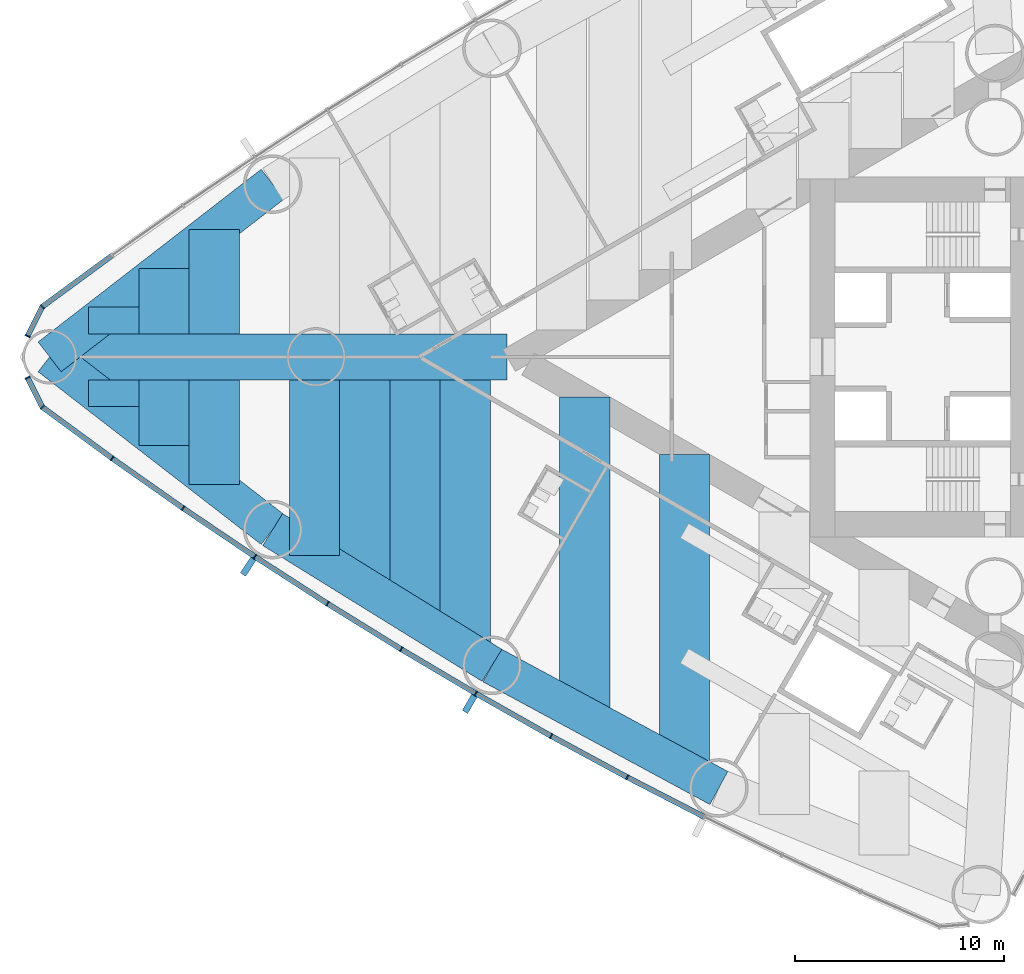
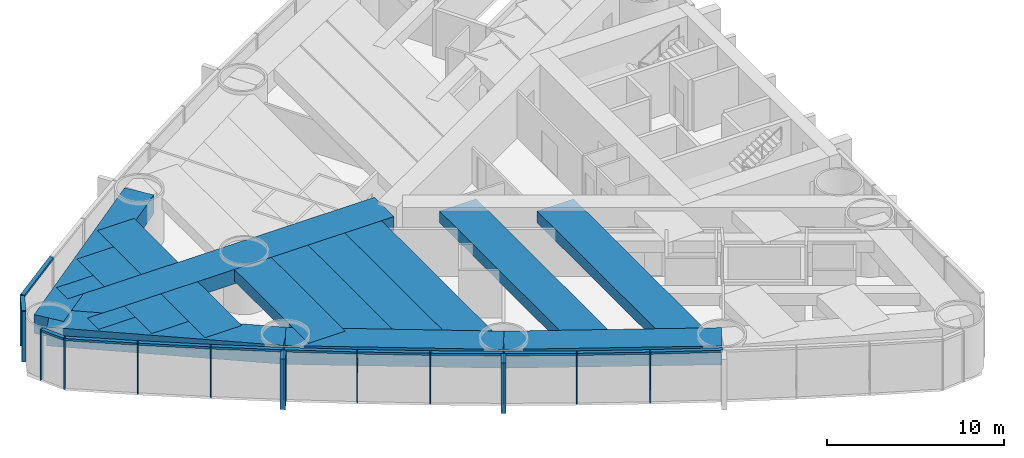
# One storey, part 2 of 19: 26 members, 17 beams, 2 elements without a shape of their own.
"""IFC4 building model written with IfcOpenShell, lengths in metres."""

from ifc_helpers import new_model, si_unit, direction, frame, origin, origin_2d, place, context, subcontext, project, spatial, rectangle, extrude, material, material_profile, profile_set, type_object, element, aggregate, save


model = new_model("IFC4")

# Units and contexts
model_context = context("Model", 3, precision=1e-05, world=origin(), true_north=direction((0.0, 1.0)))
body_context = subcontext(model_context, "Body", "Model", "MODEL_VIEW")
ifc_project = project(units=[si_unit("LENGTHUNIT", "METRE"), si_unit("AREAUNIT", "SQUARE_METRE"), si_unit("VOLUMEUNIT", "CUBIC_METRE"), si_unit("PLANEANGLEUNIT", "RADIAN"), si_unit("MASSUNIT", "GRAM", prefix="KILO")], contexts=[model_context])

# Site, building, storey
site_placement = place(None, origin())
site = spatial("IfcSite", under=ifc_project, at=site_placement, CompositionType="ELEMENT")
building_placement = place(site_placement, origin())
building = spatial("IfcBuilding", under=site, at=building_placement, Name="Lancet Gate Hotel", CompositionType="ELEMENT")
storey_placement = place(building_placement, frame((0.0, 0.0, 32.0)))
storey = spatial("IfcBuildingStorey", under=building, at=storey_placement, Name="L07", CompositionType="ELEMENT", Elevation=32.0)

# Curtain wall, members
ifc_material_1 = material(Name="Aluminium curtain wall", Category="aluminium")
curtain_wall_type = type_object("IfcCurtainWallType", Name="Tower unitised curtain wall", PredefinedType="USERDEFINED", material=ifc_material_1)
curtain_wall_1_placement = place(storey_placement, origin())
curtain_wall_1 = element("IfcCurtainWall", 1, at=curtain_wall_1_placement, inside=storey, type_object=curtain_wall_type, Name="T1 L07 curtain wall 2", ObjectType="UNITISED CURTAIN WALL", PredefinedType="USERDEFINED")
ifc_material_2 = material(Name="Aluminium mullion", Category="aluminium")
ifc_material_profile_1 = material_profile(ifc_material_2, rectangle(XDim=0.06494140625, YDim=0.25, at=origin_2d()), Name="MULLION 65x250")
ifc_profile_set_1 = profile_set([ifc_material_profile_1], Name="Aluminium mullion")
member_type_1 = type_object("IfcMemberType", Name="Aluminium mullion 65x250", PredefinedType="MULLION", material=ifc_profile_set_1)
member_1_placement = place(storey_placement, frame((-74.5830078125, 2.401611328125, 0.0), z_axis=(0.0, 0.0, 1.0), x_axis=(-0.723695580132, -0.690119342793, 0.0)))
member_1 = element("IfcMember", 2, at=member_1_placement, type_object=member_type_1, Name="T1 L07 curtain wall 2 mullion 14", PredefinedType="MULLION", context=body_context, shape_type="SweptSolid", body=[
    extrude(rectangle(XDim=0.06494140625, YDim=0.25, at=origin_2d()), origin(), (0.0, 0.0, 1.0), 3.5),
])
member_2_placement = place(storey_placement, frame((-75.287109375, 0.994873046875, 0.0), z_axis=(0.0, 0.0, 1.0), x_axis=(-0.447628324726, -0.89421970617, 0.0)))
member_2 = element("IfcMember", 3, at=member_2_placement, type_object=member_type_1, Name="T1 L07 curtain wall 2 mullion 15", PredefinedType="MULLION", context=body_context, shape_type="SweptSolid", body=[
    extrude(rectangle(XDim=0.06494140625, YDim=0.25, at=origin_2d()), origin(), (0.0, 0.0, 1.0), 3.5),
])

curtain_wall_2_placement = place(storey_placement, origin())
curtain_wall_2 = element("IfcCurtainWall", 4, at=curtain_wall_2_placement, inside=storey, type_object=curtain_wall_type, Name="T1 L07 curtain wall 3", ObjectType="UNITISED CURTAIN WALL", PredefinedType="USERDEFINED")
member_3_placement = place(storey_placement, frame((-75.287109375, -0.994873046875, 0.0), z_axis=(0.0, 0.0, 1.0), x_axis=(0.447628324726, -0.89421970617, 0.0)))
member_3 = element("IfcMember", 5, at=member_3_placement, type_object=member_type_1, Name="T1 L07 curtain wall 3 mullion 1", PredefinedType="MULLION", context=body_context, shape_type="SweptSolid", body=[
    extrude(rectangle(XDim=0.06494140625, YDim=0.25, at=origin_2d()), origin(), (0.0, 0.0, 1.0), 3.5),
])
member_4_placement = place(storey_placement, frame((-74.5830078125, -2.401611328125, 0.0), z_axis=(0.0, 0.0, 1.0), x_axis=(0.723695580132, -0.690119342793, 0.0)))
member_4 = element("IfcMember", 6, at=member_4_placement, type_object=member_type_1, Name="T1 L07 curtain wall 3 mullion 2", PredefinedType="MULLION", context=body_context, shape_type="SweptSolid", body=[
    extrude(rectangle(XDim=0.06494140625, YDim=0.25, at=origin_2d()), origin(), (0.0, 0.0, 1.0), 3.5),
])
member_5_placement = place(storey_placement, frame((-71.244384765625, -4.85009765625, 0.0), z_axis=(0.0, 0.0, 1.0), x_axis=(0.812146623168, -0.583453393578, 0.0)))
member_5 = element("IfcMember", 7, at=member_5_placement, type_object=member_type_1, Name="T1 L07 curtain wall 3 mullion 3", PredefinedType="MULLION", context=body_context, shape_type="SweptSolid", body=[
    extrude(rectangle(XDim=0.06494140625, YDim=0.25, at=origin_2d()), origin(), (0.0, 0.0, 1.0), 3.5),
])
member_6_placement = place(storey_placement, frame((-67.858154296875, -7.232666015625, 0.0), z_axis=(0.0, 0.0, 1.0), x_axis=(0.823425148573, -0.56742490666, 0.0)))
member_6 = element("IfcMember", 8, at=member_6_placement, type_object=member_type_1, Name="T1 L07 curtain wall 3 mullion 4", PredefinedType="MULLION", context=body_context, shape_type="SweptSolid", body=[
    extrude(rectangle(XDim=0.06494140625, YDim=0.25, at=origin_2d()), origin(), (0.0, 0.0, 1.0), 3.5),
])
member_7_placement = place(storey_placement, frame((-64.42626953125, -9.548583984375, 0.0), z_axis=(0.0, 0.0, 1.0), x_axis=(0.834387381945, -0.55117846189, 0.0)))
member_7 = element("IfcMember", 9, at=member_7_placement, type_object=member_type_1, Name="T1 L07 curtain wall 3 mullion 5", PredefinedType="MULLION", context=body_context, shape_type="SweptSolid", body=[
    extrude(rectangle(XDim=0.06494140625, YDim=0.25, at=origin_2d()), origin(), (0.0, 0.0, 1.0), 3.5),
])
member_8_placement = place(storey_placement, frame((-60.949462890625, -11.796630859375, 0.0), z_axis=(0.0, 0.0, 1.0), x_axis=(0.845029112489, -0.534720299827, 0.0)))
member_8 = element("IfcMember", 10, at=member_8_placement, type_object=member_type_1, Name="T1 L07 curtain wall 3 mullion 6", PredefinedType="MULLION", context=body_context, shape_type="SweptSolid", body=[
    extrude(rectangle(XDim=0.06494140625, YDim=0.25, at=origin_2d()), origin(), (0.0, 0.0, 1.0), 3.5),
])
member_9_placement = place(storey_placement, frame((-57.42919921875, -13.97607421875, 0.0), z_axis=(0.0, 0.0, 1.0), x_axis=(0.855346252548, -0.518056742309, 0.0)))
member_9 = element("IfcMember", 11, at=member_9_placement, type_object=member_type_1, Name="T1 L07 curtain wall 3 mullion 7", PredefinedType="MULLION", context=body_context, shape_type="SweptSolid", body=[
    extrude(rectangle(XDim=0.06494140625, YDim=0.25, at=origin_2d()), origin(), (0.0, 0.0, 1.0), 3.5),
])
member_10_placement = place(storey_placement, frame((-53.866943359375, -16.086181640625, 0.0), z_axis=(0.0, 0.0, 1.0), x_axis=(0.86533483912, -0.501194190115, 0.0)))
member_10 = element("IfcMember", 12, at=member_10_placement, type_object=member_type_1, Name="T1 L07 curtain wall 3 mullion 8", PredefinedType="MULLION", context=body_context, shape_type="SweptSolid", body=[
    extrude(rectangle(XDim=0.06494140625, YDim=0.25, at=origin_2d()), origin(), (0.0, 0.0, 1.0), 3.5),
])
member_11_placement = place(storey_placement, frame((-50.26416015625, -18.1259765625, 0.0), z_axis=(0.0, 0.0, 1.0), x_axis=(0.874991035403, -0.484139120464, 0.0)))
member_11 = element("IfcMember", 13, at=member_11_placement, type_object=member_type_1, Name="T1 L07 curtain wall 3 mullion 9", PredefinedType="MULLION", context=body_context, shape_type="SweptSolid", body=[
    extrude(rectangle(XDim=0.06494140625, YDim=0.25, at=origin_2d()), origin(), (0.0, 0.0, 1.0), 3.5),
])
member_12_placement = place(storey_placement, frame((-46.6220703125, -20.094970703125, 0.0), z_axis=(0.0, 0.0, 1.0), x_axis=(0.884311132302, -0.466898084475, 0.0)))
member_12 = element("IfcMember", 14, at=member_12_placement, type_object=member_type_1, Name="T1 L07 curtain wall 3 mullion 10", PredefinedType="MULLION", context=body_context, shape_type="SweptSolid", body=[
    extrude(rectangle(XDim=0.06494140625, YDim=0.25, at=origin_2d()), origin(), (0.0, 0.0, 1.0), 3.5),
])

# Member
ifc_material_3 = material(Name="Aluminium transom", Category="aluminium")
ifc_material_profile_2 = material_profile(ifc_material_3, rectangle(XDim=0.25, YDim=0.14990234375, at=origin_2d()), Name="TRANSOM 250x150")
ifc_profile_set_2 = profile_set([ifc_material_profile_2], Name="Aluminium transom")
member_type_2 = type_object("IfcMemberType", Name="Aluminium transom 250x150", PredefinedType="USERDEFINED", material=ifc_profile_set_2)
member_13_placement = place(storey_placement, frame((-71.2705078125, 4.8310546875, 3.425048828125), z_axis=(-0.806366902144, -0.59141560609, 0.0), x_axis=(0.59141560609, -0.806366902144, 0.0)))
member_13 = element("IfcMember", 15, at=member_13_placement, type_object=member_type_2, Name="T1 L07 curtain wall 2 transom 13", ObjectType="TRANSOM", PredefinedType="USERDEFINED", context=body_context, shape_type="SweptSolid", body=[
    extrude(rectangle(XDim=0.25, YDim=0.14990234375, at=origin_2d()), origin(), (0.0, 0.0, 1.0), 4.0751953125),
])

member_14_placement = place(storey_placement, frame((-74.597412109375, 2.37255859375, 3.425048828125), z_axis=(-0.447731503446, -0.894168049542, 0.0), x_axis=(0.894168049542, -0.447731503446, 0.0)))
member_14 = element("IfcMember", 16, at=member_14_placement, type_object=member_type_2, Name="T1 L07 curtain wall 2 transom 14", ObjectType="TRANSOM", PredefinedType="USERDEFINED", context=body_context, shape_type="SweptSolid", body=[
    extrude(rectangle(XDim=0.25, YDim=0.14990234375, at=origin_2d()), origin(), (0.0, 0.0, 1.0), 1.50830078125),
])

aggregate(curtain_wall_1, [member_1, member_2, member_13, member_14])

member_15_placement = place(storey_placement, frame((-75.272705078125, -1.02392578125, 3.425048828125), z_axis=(0.447731503446, -0.894168049542, 0.0), x_axis=(0.894168049542, 0.447731503446, 0.0)))
member_15 = element("IfcMember", 17, at=member_15_placement, type_object=member_type_2, Name="T1 L07 curtain wall 3 transom 1", ObjectType="TRANSOM", PredefinedType="USERDEFINED", context=body_context, shape_type="SweptSolid", body=[
    extrude(rectangle(XDim=0.25, YDim=0.14990234375, at=origin_2d()), origin(), (0.0, 0.0, 1.0), 1.50830078125),
])

member_16_placement = place(storey_placement, frame((-74.556640625, -2.4208984375, 3.425048828125), z_axis=(0.806366902144, -0.59141560609, 0.0), x_axis=(0.59141560609, 0.806366902144, 0.0)))
member_16 = element("IfcMember", 18, at=member_16_placement, type_object=member_type_2, Name="T1 L07 curtain wall 3 transom 2", ObjectType="TRANSOM", PredefinedType="USERDEFINED", context=body_context, shape_type="SweptSolid", body=[
    extrude(rectangle(XDim=0.25, YDim=0.14990234375, at=origin_2d()), origin(), (0.0, 0.0, 1.0), 4.0751953125),
])

member_17_placement = place(storey_placement, frame((-71.2177734375, -4.868896484375, 3.425048828125), z_axis=(0.817833568345, -0.57545482402, 0.0), x_axis=(0.57545482402, 0.817833568345, 0.0)))
member_17 = element("IfcMember", 19, at=member_17_placement, type_object=member_type_2, Name="T1 L07 curtain wall 3 transom 3", ObjectType="TRANSOM", PredefinedType="USERDEFINED", context=body_context, shape_type="SweptSolid", body=[
    extrude(rectangle(XDim=0.25, YDim=0.14990234375, at=origin_2d()), origin(), (0.0, 0.0, 1.0), 4.075439453125),
])

member_18_placement = place(storey_placement, frame((-67.831298828125, -7.2509765625, 3.425048828125), z_axis=(0.828959086782, -0.559309245804, 0.0), x_axis=(0.559309245804, 0.828959086782, 0.0)))
member_18 = element("IfcMember", 20, at=member_18_placement, type_object=member_type_2, Name="T1 L07 curtain wall 3 transom 4", ObjectType="TRANSOM", PredefinedType="USERDEFINED", context=body_context, shape_type="SweptSolid", body=[
    extrude(rectangle(XDim=0.25, YDim=0.14990234375, at=origin_2d()), origin(), (0.0, 0.0, 1.0), 4.0751953125),
])

member_19_placement = place(storey_placement, frame((-64.39892578125, -9.566162109375, 3.425048828125), z_axis=(0.839729242404, -0.543005340169, 0.0), x_axis=(0.543005340169, 0.839729242404, 0.0)))
member_19 = element("IfcMember", 21, at=member_19_placement, type_object=member_type_2, Name="T1 L07 curtain wall 3 transom 5", ObjectType="TRANSOM", PredefinedType="USERDEFINED", context=body_context, shape_type="SweptSolid", body=[
    extrude(rectangle(XDim=0.25, YDim=0.14990234375, at=origin_2d()), origin(), (0.0, 0.0, 1.0), 4.0751953125),
])

member_20_placement = place(storey_placement, frame((-60.921875, -11.813720703125, 3.425048828125), z_axis=(0.850242165643, -0.526391736032, 0.0), x_axis=(0.526391736032, 0.850242165643, 0.0)))
member_20 = element("IfcMember", 22, at=member_20_placement, type_object=member_type_2, Name="T1 L07 curtain wall 3 transom 6", ObjectType="TRANSOM", PredefinedType="USERDEFINED", context=body_context, shape_type="SweptSolid", body=[
    extrude(rectangle(XDim=0.25, YDim=0.14990234375, at=origin_2d()), origin(), (0.0, 0.0, 1.0), 4.075439453125),
])

member_21_placement = place(storey_placement, frame((-57.4013671875, -13.99267578125, 3.425048828125), z_axis=(0.86039174806, -0.509633240547, 0.0), x_axis=(0.509633240547, 0.86039174806, 0.0)))
member_21 = element("IfcMember", 23, at=member_21_placement, type_object=member_type_2, Name="T1 L07 curtain wall 3 transom 7", ObjectType="TRANSOM", PredefinedType="USERDEFINED", context=body_context, shape_type="SweptSolid", body=[
    extrude(rectangle(XDim=0.25, YDim=0.14990234375, at=origin_2d()), origin(), (0.0, 0.0, 1.0), 4.0751953125),
])

member_22_placement = place(storey_placement, frame((-53.838623046875, -16.102294921875, 3.425048828125), z_axis=(0.870197729943, -0.492702659625, 0.0), x_axis=(0.492702659625, 0.870197729943, 0.0)))
member_22 = element("IfcMember", 24, at=member_22_placement, type_object=member_type_2, Name="T1 L07 curtain wall 3 transom 8", ObjectType="TRANSOM", PredefinedType="USERDEFINED", context=body_context, shape_type="SweptSolid", body=[
    extrude(rectangle(XDim=0.25, YDim=0.14990234375, at=origin_2d()), origin(), (0.0, 0.0, 1.0), 4.0751953125),
])

member_23_placement = place(storey_placement, frame((-50.235595703125, -18.1416015625, 3.425048828125), z_axis=(0.87971396408, -0.475503250675, 0.0), x_axis=(0.475503250675, 0.87971396408, 0.0)))
member_23 = element("IfcMember", 25, at=member_23_placement, type_object=member_type_2, Name="T1 L07 curtain wall 3 transom 9", ObjectType="TRANSOM", PredefinedType="USERDEFINED", context=body_context, shape_type="SweptSolid", body=[
    extrude(rectangle(XDim=0.25, YDim=0.14990234375, at=origin_2d()), origin(), (0.0, 0.0, 1.0), 4.0751953125),
])

member_24_placement = place(storey_placement, frame((-46.593017578125, -20.10986328125, 3.425048828125), z_axis=(0.888859972399, -0.458178949175, 0.0), x_axis=(0.458178949175, 0.888859972399, 0.0)))
member_24 = element("IfcMember", 26, at=member_24_placement, type_object=member_type_2, Name="T1 L07 curtain wall 3 transom 10", ObjectType="TRANSOM", PredefinedType="USERDEFINED", context=body_context, shape_type="SweptSolid", body=[
    extrude(rectangle(XDim=0.25, YDim=0.14990234375, at=origin_2d()), origin(), (0.0, 0.0, 1.0), 4.0751953125),
])

# Beams
ifc_material_4 = material(Name="Concrete C50/60", Category="concrete")
ifc_material_profile_3 = material_profile(ifc_material_4, rectangle(XDim=1.800048828125, YDim=1.300048828125, at=origin_2d()), Name="RC 1800x1300")
ifc_profile_set_3 = profile_set([ifc_material_profile_3], Name="Concrete C50/60")
beam_type_1 = type_object("IfcBeamType", Name="Edge beam RC 1800x1300", PredefinedType="SPANDREL", material=ifc_profile_set_3)
for number, where, z_axis, x_axis, name in (
    (27, (-63.57177734375, 8.255126953125, 2.60009765625), (-0.790736428665, -0.612156761281, 0.0), (0.612156761281, -0.790736428665, 0.0), "T1 edge beam EB1 L07"),
    (28, (-74.235107421875, 0.0, 2.60009765625), (0.790736428665, -0.612156761281, 0.0), (0.612156761281, 0.790736428665, 0.0), "T1 edge beam EB1 L07"),
):
    element("IfcBeam", number, at=place(storey_placement, frame(where, z_axis=z_axis, x_axis=x_axis)), inside=storey, type_object=beam_type_1, Name=name, PredefinedType="SPANDREL", context=body_context, shape_type="SweptSolid", body=[
        extrude(rectangle(XDim=1.800048828125, YDim=1.300048828125, at=origin_2d()), origin(), (0.0, 0.0, 1.0), 13.4853515625),
    ])
for number, where, z_axis, x_axis, name in (
    (29, (-63.57177734375, -8.255126953125, 2.60009765625), (0.850225894333, -0.526418016984, 0.0), (0.526418016984, 0.850225894333, 0.0), "T1 edge beam EB1 L07"),
    (30, (-53.090087890625, -14.744873046875, 2.60009765625), (0.879692855603, -0.475542300749, 0.0), (0.475542300749, 0.879692855603, 0.0), "T1 edge beam EB1 L07"),
):
    element("IfcBeam", number, at=place(storey_placement, frame(where, z_axis=z_axis, x_axis=x_axis)), inside=storey, type_object=beam_type_1, Name=name, PredefinedType="SPANDREL", context=body_context, shape_type="SweptSolid", body=[
        extrude(rectangle(XDim=1.800048828125, YDim=1.300048828125, at=origin_2d()), origin(), (0.0, 0.0, 1.0), 12.328125),
    ])

# Member
ifc_material_5 = material(Name="Precast concrete C50/60", Category="concrete")
ifc_material_profile_4 = material_profile(ifc_material_5, rectangle(XDim=0.300048828125, YDim=0.89990234375, at=origin_2d()), Name="FIN 300x900")
ifc_profile_set_4 = profile_set([ifc_material_profile_4], Name="Precast concrete C50/60")
member_type_3 = type_object("IfcMemberType", Name="Exposed concrete fin 300x900", PredefinedType="USERDEFINED", material=ifc_profile_set_4)
member_25_placement = place(storey_placement, frame((-64.7431640625, -10.0283203125, 0.0), z_axis=(0.0, 0.0, 1.0), x_axis=(0.834387381945, -0.55117846189, 0.0)))
member_25 = element("IfcMember", 31, at=member_25_placement, type_object=member_type_3, Name="T1 L07 curtain wall 3 fin 5", ObjectType="FIN", PredefinedType="USERDEFINED", context=body_context, shape_type="SweptSolid", body=[
    extrude(rectangle(XDim=0.300048828125, YDim=0.89990234375, at=origin_2d()), origin(), (0.0, 0.0, 1.0), 3.5),
])

member_26_placement = place(storey_placement, frame((-54.1552734375, -16.583740234375, 0.0), z_axis=(0.0, 0.0, 1.0), x_axis=(0.86533483912, -0.501194190115, 0.0)))
member_26 = element("IfcMember", 32, at=member_26_placement, type_object=member_type_3, Name="T1 L07 curtain wall 3 fin 8", ObjectType="FIN", PredefinedType="USERDEFINED", context=body_context, shape_type="SweptSolid", body=[
    extrude(rectangle(XDim=0.300048828125, YDim=0.89990234375, at=origin_2d()), origin(), (0.0, 0.0, 1.0), 3.5),
])

aggregate(curtain_wall_2, [member_3, member_4, member_5, member_6, member_7, member_25, member_8, member_9, member_10, member_26, member_11, member_12, member_15, member_16, member_17, member_18, member_19, member_20, member_21, member_22, member_23, member_24])

# Beams
ifc_material_6 = material(Name="Concrete C50/60", Category="concrete")
ifc_material_profile_5 = material_profile(ifc_material_6, rectangle(XDim=2.39990234375, YDim=0.800048828125, at=origin_2d()), Name="RC 2400x800")
ifc_profile_set_5 = profile_set([ifc_material_profile_5], Name="Concrete C50/60")
beam_type_2 = type_object("IfcBeamType", Name="Floor beam RC 2400x800", PredefinedType="BEAM", material=ifc_profile_set_5)
beam_1_placement = place(storey_placement, frame((-43.891357421875, -4.663330078125, 2.85009765625), z_axis=(0.0, -1.0, 0.0), x_axis=(1.0, 0.0, 0.0)))
element("IfcBeam", 33, at=beam_1_placement, inside=storey, type_object=beam_type_2, Name="T1 floor beam F08N L07", PredefinedType="BEAM", context=body_context, shape_type="SweptSolid", body=[
    extrude(rectangle(XDim=2.39990234375, YDim=0.800048828125, at=origin_2d()), origin(), (0.0, 0.0, 1.0), 15.05419921875),
])
beam_2_placement = place(storey_placement, frame((-48.66015625, -1.909912109375, 2.85009765625), z_axis=(0.0, -1.0, 0.0), x_axis=(1.0, 0.0, 0.0)))
element("IfcBeam", 34, at=beam_2_placement, inside=storey, type_object=beam_type_2, Name="T1 floor beam F11N L07", PredefinedType="BEAM", context=body_context, shape_type="SweptSolid", body=[
    extrude(rectangle(XDim=2.39990234375, YDim=0.800048828125, at=origin_2d()), origin(), (0.0, 0.0, 1.0), 15.229736328125),
])
beam_3_placement = place(storey_placement, frame((-54.3681640625, -1.10009765625, 2.85009765625), z_axis=(0.0, -1.0, 0.0), x_axis=(1.0, 0.0, 0.0)))
element("IfcBeam", 35, at=beam_3_placement, inside=storey, type_object=beam_type_2, Name="T1 floor beam F14N L07", PredefinedType="BEAM", context=body_context, shape_type="SweptSolid", body=[
    extrude(rectangle(XDim=2.39990234375, YDim=0.800048828125, at=origin_2d()), origin(), (0.0, 0.0, 1.0), 12.853515625),
])
beam_4_placement = place(storey_placement, frame((-56.768310546875, -1.10009765625, 2.85009765625), z_axis=(0.0, -1.0, 0.0), x_axis=(1.0, 0.0, 0.0)))
element("IfcBeam", 36, at=beam_4_placement, inside=storey, type_object=beam_type_2, Name="T1 floor beam F16N L07", PredefinedType="BEAM", context=body_context, shape_type="SweptSolid", body=[
    extrude(rectangle(XDim=2.39990234375, YDim=0.800048828125, at=origin_2d()), origin(), (0.0, 0.0, 1.0), 11.367431640625),
])
beam_5_placement = place(storey_placement, frame((-59.168212890625, -1.10009765625, 2.85009765625), z_axis=(0.0, -1.0, 0.0), x_axis=(1.0, 0.0, 0.0)))
element("IfcBeam", 37, at=beam_5_placement, inside=storey, type_object=beam_type_2, Name="T1 floor beam F18N L07", PredefinedType="BEAM", context=body_context, shape_type="SweptSolid", body=[
    extrude(rectangle(XDim=2.39990234375, YDim=0.800048828125, at=origin_2d()), origin(), (0.0, 0.0, 1.0), 9.881591796875),
])
beam_6_placement = place(storey_placement, frame((-61.568359375, -1.10009765625, 2.85009765625), z_axis=(0.0, -1.0, 0.0), x_axis=(1.0, 0.0, 0.0)))
element("IfcBeam", 38, at=beam_6_placement, inside=storey, type_object=beam_type_2, Name="T1 floor beam F20N L07", PredefinedType="BEAM", context=body_context, shape_type="SweptSolid", body=[
    extrude(rectangle(XDim=2.39990234375, YDim=0.800048828125, at=origin_2d()), origin(), (0.0, 0.0, 1.0), 8.395751953125),
])
for number, where, z_axis, x_axis, name in (
    (39, (-66.3681640625, 6.09033203125, 2.85009765625), (0.0, -1.0, 0.0), (1.0, 0.0, 0.0), "T1 floor beam F21S L07"),
    (40, (-66.3681640625, -1.10009765625, 2.85009765625), (0.0, -1.0, 0.0), (1.0, 0.0, 0.0), "T1 floor beam F22N L07"),
):
    element("IfcBeam", number, at=place(storey_placement, frame(where, z_axis=z_axis, x_axis=x_axis)), inside=storey, type_object=beam_type_2, Name=name, PredefinedType="BEAM", context=body_context, shape_type="SweptSolid", body=[
        extrude(rectangle(XDim=2.39990234375, YDim=0.800048828125, at=origin_2d()), origin(), (0.0, 0.0, 1.0), 4.990234375),
    ])
for number, where, z_axis, x_axis, name in (
    (41, (-68.768310546875, 4.232421875, 2.85009765625), (0.0, -1.0, 0.0), (1.0, 0.0, 0.0), "T1 floor beam F23S L07"),
    (42, (-68.768310546875, -1.10009765625, 2.85009765625), (0.0, -1.0, 0.0), (1.0, 0.0, 0.0), "T1 floor beam F24N L07"),
):
    element("IfcBeam", number, at=place(storey_placement, frame(where, z_axis=z_axis, x_axis=x_axis)), inside=storey, type_object=beam_type_2, Name=name, PredefinedType="BEAM", context=body_context, shape_type="SweptSolid", body=[
        extrude(rectangle(XDim=2.39990234375, YDim=0.800048828125, at=origin_2d()), origin(), (0.0, 0.0, 1.0), 3.13232421875),
    ])
for number, where, z_axis, x_axis, name in (
    (43, (-71.168212890625, 2.374267578125, 2.85009765625), (0.0, -1.0, 0.0), (1.0, 0.0, 0.0), "T1 floor beam F25S L07"),
    (44, (-71.168212890625, -1.10009765625, 2.85009765625), (0.0, -1.0, 0.0), (1.0, 0.0, 0.0), "T1 floor beam F26N L07"),
):
    element("IfcBeam", number, at=place(storey_placement, frame(where, z_axis=z_axis, x_axis=x_axis)), inside=storey, type_object=beam_type_2, Name=name, PredefinedType="BEAM", context=body_context, shape_type="SweptSolid", body=[
        extrude(rectangle(XDim=2.39990234375, YDim=0.800048828125, at=origin_2d()), origin(), (0.0, 0.0, 1.0), 1.274169921875),
    ])
ifc_material_7 = material(Name="Concrete C50/60", Category="concrete")
ifc_material_profile_6 = material_profile(ifc_material_7, rectangle(XDim=2.199951171875, YDim=1.0, at=origin_2d()), Name="RC 2200x1000")
ifc_profile_set_6 = profile_set([ifc_material_profile_6], Name="Concrete C50/60")
beam_type_3 = type_object("IfcBeamType", Name="Radial floor beam RC 2200x1000", PredefinedType="BEAM", material=ifc_profile_set_6)
beam_7_placement = place(storey_placement, frame((-74.235107421875, 0.0, 2.75), z_axis=(1.0, 0.0, 0.0), x_axis=(0.0, 1.0, 0.0)))
element("IfcBeam", 45, at=beam_7_placement, inside=storey, type_object=beam_type_3, Name="T1 radial beam CA L07", PredefinedType="BEAM", context=body_context, shape_type="SweptSolid", body=[
    extrude(rectangle(XDim=2.199951171875, YDim=1.0, at=origin_2d()), origin(), (0.0, 0.0, 1.0), 21.866943359375),
])

save(model, "model.ifc")
